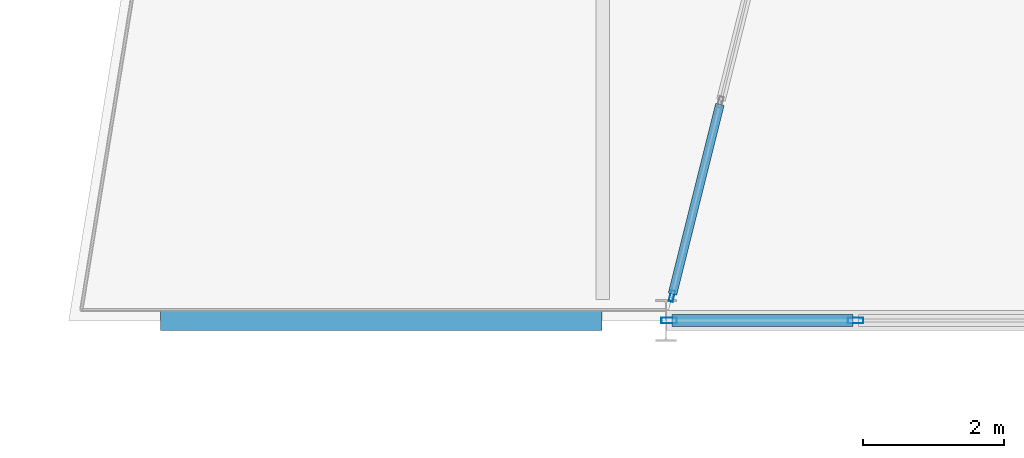
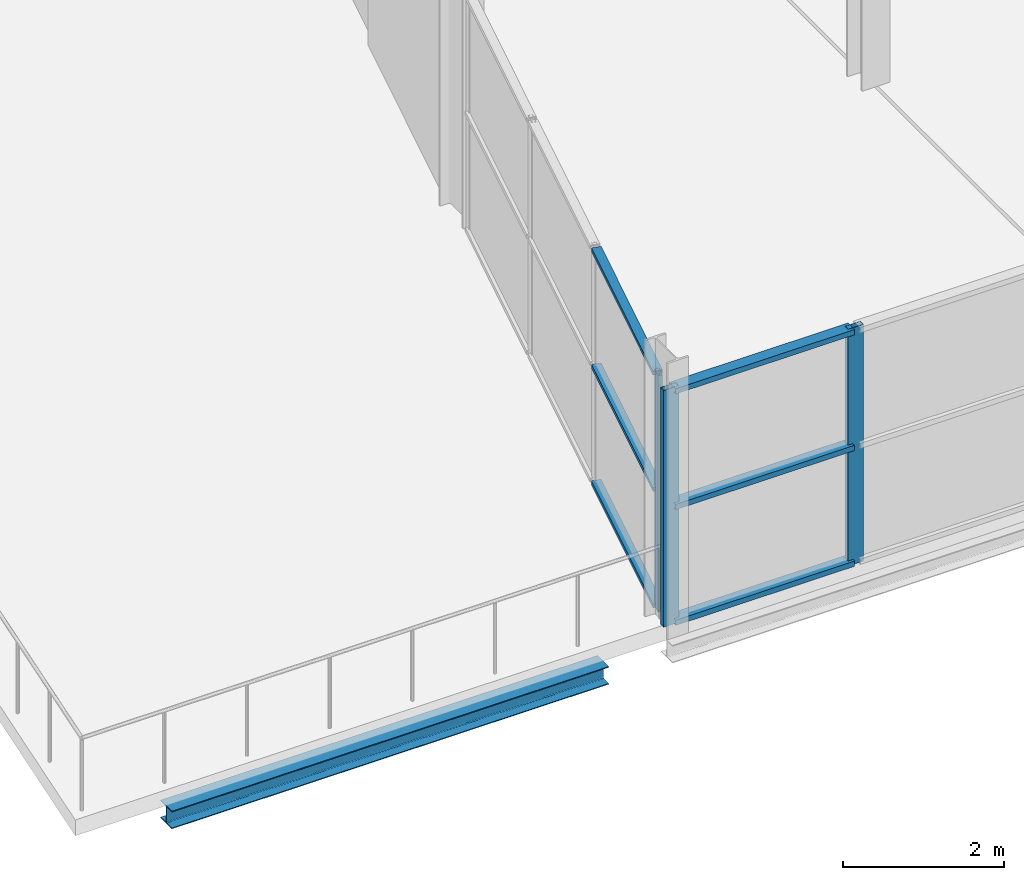
# One storey, part 8 of 44: 9 members, 1 beam, 2 elements without a shape of their own.
"""IFC4 building model written with IfcOpenShell, lengths in metres."""

import ifcopenshell
import ifcopenshell.guid

model = None  # the IFC model being written
_history = None  # IfcOwnerHistory: only IFC2X3 demands one
_inside = {}  # id of a spatial element -> (the spatial element, [elements in it])
_under = {}  # id of a project, library or spatial element -> (it, [spatial elements below it])
_declared = {}  # id of a project -> (the project, [libraries it declares])
_typed = {}  # id of a type object -> (the type object, [elements of that type])
_made_of = {}  # id of a material, layer set ... -> (it, [elements and type objects made of it])


def new_model(schema):
    """Start an empty IFC model of exactly this schema.

    Asked for "IFC4X3", IfcOpenShell would pick the latest addendum, in which some entities
    have other attributes; the version numbers below select the first issue.
    IFC2X3 requires an IfcOwnerHistory on every rooted entity: one is made here for all.
    """
    global model, _history
    if schema == "IFC4X3":
        model = ifcopenshell.file(schema_version=(4, 3, 0, 0))
    else:
        model = ifcopenshell.file(schema=schema)
    _inside.clear()
    _under.clear()
    _declared.clear()
    _typed.clear()
    _made_of.clear()
    _history = None
    if model.schema == "IFC2X3":
        org = make("IfcOrganization", Name="unknown")
        user = make(
            "IfcPersonAndOrganization",
            ThePerson=make("IfcPerson", FamilyName="unknown"),
            TheOrganization=org,
        )
        app = make(
            "IfcApplication",
            ApplicationDeveloper=org,
            Version="unknown",
            ApplicationFullName="unknown",
            ApplicationIdentifier="unknown",
        )
        _history = make(
            "IfcOwnerHistory",
            OwningUser=user,
            OwningApplication=app,
            ChangeAction="ADDED",
            CreationDate=0,
        )
    return model


def make(cls, **values):
    """One entity of the class cls with the attributes given. An attribute that is None is left unset."""
    return model.create_entity(
        cls, **{name: value for name, value in values.items() if value is not None}
    )


def rooted(cls, **values):
    """An entity with a GlobalId (a new one), such as an element, a storey or a relation."""
    return make(cls, GlobalId=ifcopenshell.guid.new(), OwnerHistory=_history, **values)


def si_unit(unit_type, name, prefix=None):
    """IfcSIUnit, for example si_unit("LENGTHUNIT", "METRE", prefix="MILLI")."""
    return make("IfcSIUnit", UnitType=unit_type, Prefix=prefix, Name=name)


def assignment(units):
    """IfcUnitAssignment: the units of a project."""
    return None if units is None else make("IfcUnitAssignment", Units=units)


def point(xyz):
    """IfcCartesianPoint."""
    return None if xyz is None else make("IfcCartesianPoint", Coordinates=xyz)


def direction(xyz):
    """IfcDirection."""
    return None if xyz is None else make("IfcDirection", DirectionRatios=xyz)


def frame(location, z_axis=None, x_axis=None):
    """IfcAxis2Placement3D, a coordinate frame: its origin and axes. An axis left out is left unset."""
    return make(
        "IfcAxis2Placement3D",
        Location=point(location),
        Axis=direction(z_axis),
        RefDirection=direction(x_axis),
    )


def frame_2d(location, x_axis=None):
    """IfcAxis2Placement2D, a coordinate frame in the plane: its origin and x axis."""
    return make(
        "IfcAxis2Placement2D", Location=point(location), RefDirection=direction(x_axis)
    )


def origin():
    """The frame at (0, 0, 0) with its axes left unset."""
    return frame((0.0, 0.0, 0.0))


def origin_2d():
    """The frame at (0, 0) in the plane with its x axis left unset."""
    return frame_2d((0.0, 0.0))


def place(relative_to, where):
    """IfcLocalPlacement: puts the frame where relative to a parent placement (None: the world)."""
    return make(
        "IfcLocalPlacement", PlacementRelTo=relative_to, RelativePlacement=where
    )


def context(
    kind, dimensions, precision=None, world=None, true_north=None, identifier=None
):
    """IfcGeometricRepresentationContext, for example the 3D "Model" context."""
    return make(
        "IfcGeometricRepresentationContext",
        ContextIdentifier=identifier,
        ContextType=kind,
        CoordinateSpaceDimension=dimensions,
        Precision=precision,
        WorldCoordinateSystem=world,
        TrueNorth=true_north,
    )


def subcontext(parent, identifier, kind, view, scale=None):
    """IfcGeometricRepresentationSubContext, for example "Body" below "Model"."""
    return make(
        "IfcGeometricRepresentationSubContext",
        ContextIdentifier=identifier,
        ContextType=kind,
        ParentContext=parent,
        TargetScale=scale,
        TargetView=view,
    )


def project(units=None, contexts=None):
    """IfcProject with its units and contexts."""
    return rooted(
        "IfcProject",
        Name="project",
        RepresentationContexts=contexts,
        UnitsInContext=assignment(units),
    )


def spatial(cls, under=None, at=None, **own):
    """A site, building, storey or space (cls), placed at a placement, below another one or the project."""
    s = rooted(cls, ObjectPlacement=at, **own)
    if under is not None:
        _under.setdefault(under.id(), (under, []))[1].append(s)
    return s


def profile(cls, at=None, kind="AREA", **sizes):
    """A parametric profile (cls). Its sizes go by their IFC names, for example OverallWidth=200.0."""
    return make(cls, ProfileType=kind, Position=at, **sizes)


def hollow_rectangle(**sizes):
    """IfcRectangleHollowProfileDef."""
    return profile("IfcRectangleHollowProfileDef", **sizes)


def i_section(**sizes):
    """IfcIShapeProfileDef."""
    return profile("IfcIShapeProfileDef", **sizes)


def extrude(swept, where, along, depth):
    """IfcExtrudedAreaSolid: the profile swept, set in the frame where, extruded along a direction by depth."""
    return make(
        "IfcExtrudedAreaSolid",
        SweptArea=swept,
        Position=where,
        ExtrudedDirection=direction(along),
        Depth=depth,
    )


def shape(context_of_items, identifier, shape_type, items):
    """IfcShapeRepresentation: the items that make up one representation, for example the "Body"."""
    return make(
        "IfcShapeRepresentation",
        ContextOfItems=context_of_items,
        RepresentationIdentifier=identifier,
        RepresentationType=shape_type,
        Items=items,
    )


def material(Name=None, Category=None):
    """IfcMaterial."""
    return make("IfcMaterial", Name=Name, Category=Category)


def layer(
    of_material, thickness, ventilated=None, Name=None, Category=None, Priority=None
):
    """IfcMaterialLayer: one layer of a wall or slab, of a material (None: an air gap)."""
    return make(
        "IfcMaterialLayer",
        Material=of_material,
        LayerThickness=thickness,
        IsVentilated=ventilated,
        Name=Name,
        Category=Category,
        Priority=Priority,
    )


def layer_set(layers, Name=None):
    """IfcMaterialLayerSet."""
    return make("IfcMaterialLayerSet", MaterialLayers=layers, LayerSetName=Name)


def material_profile(
    of_material, cross_section, Name=None, Category=None, Priority=None
):
    """IfcMaterialProfile: a cross section and its material."""
    return make(
        "IfcMaterialProfile",
        Name=Name,
        Material=of_material,
        Profile=cross_section,
        Priority=Priority,
        Category=Category,
    )


def profile_set(profiles, Name=None, composite=None):
    """IfcMaterialProfileSet."""
    return make(
        "IfcMaterialProfileSet",
        Name=Name,
        MaterialProfiles=profiles,
        CompositeProfile=composite,
    )


def made_of(thing, what):
    """Note that an element or type object is made of a material, layer set ...; save() writes the relation."""
    if what is not None:
        _made_of.setdefault(what.id(), (what, []))[1].append(thing)
    return thing


def type_object(cls, material=None, **own):
    """A type object (cls), such as IfcWallType, which elements share."""
    return made_of(rooted(cls, **own), material)


def element(
    cls,
    number,
    at=None,
    inside=None,
    cuts=None,
    type_object=None,
    material=None,
    context=None,
    identifier="Body",
    shape_type=None,
    held_by="IfcProductDefinitionShape",
    body=None,
    shapes=None,
    **own,
):
    """One element of the class cls, such as IfcWall. Its Tag is "e" and its number.

    at: its placement. inside: the storey or other place that contains it. cuts: it is an
    opening in that element (IfcRelVoidsElement). A single representation is given by context,
    identifier, shape_type and body (its items); several are given by shapes. held_by: the class
    of the entity that holds the representations. save() writes the other relations.
    """
    e = rooted(cls, Tag="e%d" % number, ObjectPlacement=at, **own)
    if body is not None:
        shapes = [shape(context, identifier, shape_type, body)]
    if shapes is not None:
        e.Representation = make(held_by, Representations=shapes)
    if inside is not None:
        _inside.setdefault(inside.id(), (inside, []))[1].append(e)
    if cuts is not None:
        rooted(
            "IfcRelVoidsElement", RelatingBuildingElement=cuts, RelatedOpeningElement=e
        )
    if type_object is not None:
        _typed.setdefault(type_object.id(), (type_object, []))[1].append(e)
    return made_of(e, material)


def aggregate(whole, parts):
    """IfcRelAggregates: a whole, such as a stair, and the parts it consists of."""
    return rooted("IfcRelAggregates", RelatingObject=whole, RelatedObjects=parts)


def save(model, path):
    """Write the relations noted so far, then the file.

    IfcRelAggregates (storeys below a building ...), IfcRelContainedInSpatialStructure (elements
    in a storey), IfcRelDefinesByType, IfcRelAssociatesMaterial and IfcRelDeclares: one each for
    every whole, place, type object, material and project.
    """
    for whole, parts in _under.values():
        aggregate(whole, parts)
    for where, things in _inside.values():
        rooted(
            "IfcRelContainedInSpatialStructure",
            RelatedElements=things,
            RelatingStructure=where,
        )
    for kind, things in _typed.values():
        rooted("IfcRelDefinesByType", RelatedObjects=things, RelatingType=kind)
    for what, things in _made_of.values():
        rooted("IfcRelAssociatesMaterial", RelatedObjects=things, RelatingMaterial=what)
    for by, libraries in _declared.values():
        rooted("IfcRelDeclares", RelatingContext=by, RelatedDefinitions=libraries)
    model.write(path)


model = new_model("IFC4")

# Units and contexts
model_context = context("Model", 3, precision=1e-05, world=origin(), true_north=direction((0.0, 1.0)))
body_context = subcontext(model_context, "Body", "Model", "MODEL_VIEW")
ifc_project = project(units=[si_unit("LENGTHUNIT", "METRE"), si_unit("AREAUNIT", "SQUARE_METRE"), si_unit("VOLUMEUNIT", "CUBIC_METRE"), si_unit("PLANEANGLEUNIT", "RADIAN"), si_unit("MASSUNIT", "GRAM", prefix="KILO")], contexts=[model_context])

# Site, building, storey
site_placement = place(None, origin())
site = spatial("IfcSite", under=ifc_project, at=site_placement, CompositionType="ELEMENT")
building_placement = place(site_placement, origin())
building = spatial("IfcBuilding", under=site, at=building_placement, Name="Deido Ridge Mobility Hub", CompositionType="ELEMENT")
storey_placement = place(building_placement, frame((0.0, 0.0, 25.199951171875)))
storey = spatial("IfcBuildingStorey", under=building, at=storey_placement, Name="L06", CompositionType="ELEMENT", Elevation=25.199951171875)

# Curtain wall, member
ifc_material_1 = material(Name="Anodised aluminium EN AW-6063 T6", Category="aluminium")
ifc_layer_1 = layer(ifc_material_1, 0.2099609375, Name="Anodised aluminium EN AW-6063 T6")
ifc_layer_set_1 = layer_set([ifc_layer_1], Name="Anodised aluminium EN AW-6063 T6")
curtain_wall_type_1 = type_object("IfcCurtainWallType", Name="CW-UF-4", PredefinedType="USERDEFINED", material=ifc_layer_set_1)
curtain_wall_1_placement = place(storey_placement, origin())
curtain_wall_1 = element("IfcCurtainWall", 1, at=curtain_wall_1_placement, inside=storey, type_object=curtain_wall_type_1, Name="Unitised curtain wall CW4", ObjectType="UNITISED FACADE", PredefinedType="USERDEFINED")
ifc_material_profile_1 = material_profile(ifc_material_1, hollow_rectangle(XDim=0.06005859375, YDim=0.159912109375, WallThickness=0.00390625, at=origin_2d()), Name="RHS 60x160x4")
ifc_profile_set_1 = profile_set([ifc_material_profile_1], Name="Anodised aluminium EN AW-6063 T6")
member_type_1 = type_object("IfcMemberType", Name="MEM-MUL-60X160", PredefinedType="MULLION", material=ifc_profile_set_1)
member_1_placement = place(storey_placement, frame((135.986572265625, 0.3466796875, 0.0), z_axis=(0.0, 0.0, 1.0), x_axis=(-0.970142500145, 0.242535625038, 0.0)))
member_1 = element("IfcMember", 2, at=member_1_placement, type_object=member_type_1, Name="CW4 mullion 1", PredefinedType="MULLION", context=body_context, shape_type="SweptSolid", body=[
    extrude(hollow_rectangle(XDim=0.06005859375, YDim=0.159912109375, WallThickness=0.00390625, at=origin_2d()), origin(), (0.0, 0.0, 1.0), 3.60009765625),
])

# Curtain wall, members
ifc_layer_2 = layer(ifc_material_1, 0.2548828125, Name="Anodised aluminium EN AW-6063 T6")
ifc_layer_set_2 = layer_set([ifc_layer_2], Name="Anodised aluminium EN AW-6063 T6")
curtain_wall_type_2 = type_object("IfcCurtainWallType", Name="CW-UF-7", PredefinedType="USERDEFINED", material=ifc_layer_set_2)
curtain_wall_2_placement = place(storey_placement, origin())
curtain_wall_2 = element("IfcCurtainWall", 3, at=curtain_wall_2_placement, inside=storey, type_object=curtain_wall_type_2, Name="Unitised curtain wall CW7", ObjectType="UNITISED FACADE", PredefinedType="USERDEFINED")
ifc_material_profile_2 = material_profile(ifc_material_1, hollow_rectangle(XDim=0.080078125, YDim=0.219970703125, WallThickness=0.00390625, at=origin_2d()), Name="RHS 80x220x4")
ifc_profile_set_2 = profile_set([ifc_material_profile_2], Name="Anodised aluminium EN AW-6063 T6")
member_type_2 = type_object("IfcMemberType", Name="MEM-MUL-80X220", PredefinedType="MULLION", material=ifc_profile_set_2)
member_2_placement = place(storey_placement, frame((135.94775390625, 0.0, 0.0), z_axis=(0.0, 0.0, 1.0), x_axis=(0.0, 1.0, 0.0)))
member_2 = element("IfcMember", 4, at=member_2_placement, type_object=member_type_2, Name="CW7 mullion 1", PredefinedType="MULLION", context=body_context, shape_type="SweptSolid", body=[
    extrude(hollow_rectangle(XDim=0.080078125, YDim=0.219970703125, WallThickness=0.00390625, at=origin_2d()), origin(), (0.0, 0.0, 1.0), 3.60009765625),
])
member_3_placement = place(storey_placement, frame((138.602294921875, 0.0, 0.0), z_axis=(0.0, 0.0, 1.0), x_axis=(0.0, 1.0, 0.0)))
member_3 = element("IfcMember", 5, at=member_3_placement, type_object=member_type_2, Name="CW7 mullion 2", PredefinedType="MULLION", context=body_context, shape_type="SweptSolid", body=[
    extrude(hollow_rectangle(XDim=0.080078125, YDim=0.219970703125, WallThickness=0.00390625, at=origin_2d()), origin(), (0.0, 0.0, 1.0), 3.60009765625),
])

# Member
ifc_material_profile_3 = material_profile(ifc_material_1, hollow_rectangle(XDim=0.125, YDim=0.06005859375, WallThickness=0.00390625, at=origin_2d()), Name="RHS 125x60x4")
ifc_profile_set_3 = profile_set([ifc_material_profile_3], Name="Anodised aluminium EN AW-6063 T6")
member_type_3 = type_object("IfcMemberType", Name="MEM-TRN-125X60", PredefinedType="USERDEFINED", material=ifc_profile_set_3)
member_4_placement = place(storey_placement, frame((135.993896484375, 0.375732421875, 0.030029296875), z_axis=(0.242556258409, 0.970137341569, 0.0), x_axis=(-0.970137341569, 0.242556258409, 0.0)))
member_4 = element("IfcMember", 6, at=member_4_placement, type_object=member_type_3, Name="CW4 transom 1.1", ObjectType="TRANSOM", PredefinedType="USERDEFINED", context=body_context, shape_type="SweptSolid", body=[
    extrude(hollow_rectangle(XDim=0.125, YDim=0.06005859375, WallThickness=0.00390625, at=origin_2d()), origin(), (0.0, 0.0, 1.0), 2.7841796875),
])

member_5_placement = place(storey_placement, frame((135.993896484375, 0.375732421875, 1.800048828125), z_axis=(0.242556258409, 0.970137341569, 0.0), x_axis=(-0.970137341569, 0.242556258409, 0.0)))
member_5 = element("IfcMember", 7, at=member_5_placement, type_object=member_type_3, Name="CW4 transom 1.2", ObjectType="TRANSOM", PredefinedType="USERDEFINED", context=body_context, shape_type="SweptSolid", body=[
    extrude(hollow_rectangle(XDim=0.125, YDim=0.06005859375, WallThickness=0.00390625, at=origin_2d()), origin(), (0.0, 0.0, 1.0), 2.7841796875),
])

member_6_placement = place(storey_placement, frame((135.993896484375, 0.375732421875, 3.570068359375), z_axis=(0.242556258409, 0.970137341569, 0.0), x_axis=(-0.970137341569, 0.242556258409, 0.0)))
member_6 = element("IfcMember", 8, at=member_6_placement, type_object=member_type_3, Name="CW4 transom 1.3", ObjectType="TRANSOM", PredefinedType="USERDEFINED", context=body_context, shape_type="SweptSolid", body=[
    extrude(hollow_rectangle(XDim=0.125, YDim=0.06005859375, WallThickness=0.00390625, at=origin_2d()), origin(), (0.0, 0.0, 1.0), 2.7841796875),
])

aggregate(curtain_wall_1, [member_1, member_4, member_5, member_6])

ifc_material_profile_4 = material_profile(ifc_material_1, hollow_rectangle(XDim=0.1650390625, YDim=0.080078125, WallThickness=0.00390625, at=origin_2d()), Name="RHS 165x80x4")
ifc_profile_set_4 = profile_set([ifc_material_profile_4], Name="Anodised aluminium EN AW-6063 T6")
member_type_4 = type_object("IfcMemberType", Name="MEM-TRN-165X80", PredefinedType="USERDEFINED", material=ifc_profile_set_4)
member_7_placement = place(storey_placement, frame((135.98779296875, 0.0, 0.0400390625), z_axis=(1.0, 0.0, 0.0), x_axis=(0.0, 1.0, 0.0)))
member_7 = element("IfcMember", 9, at=member_7_placement, type_object=member_type_4, Name="CW7 transom 1.1", ObjectType="TRANSOM", PredefinedType="USERDEFINED", context=body_context, shape_type="SweptSolid", body=[
    extrude(hollow_rectangle(XDim=0.1650390625, YDim=0.080078125, WallThickness=0.00390625, at=origin_2d()), origin(), (0.0, 0.0, 1.0), 2.574462890625),
])

member_8_placement = place(storey_placement, frame((135.98779296875, 0.0, 1.800048828125), z_axis=(1.0, 0.0, 0.0), x_axis=(0.0, 1.0, 0.0)))
member_8 = element("IfcMember", 10, at=member_8_placement, type_object=member_type_4, Name="CW7 transom 1.2", ObjectType="TRANSOM", PredefinedType="USERDEFINED", context=body_context, shape_type="SweptSolid", body=[
    extrude(hollow_rectangle(XDim=0.1650390625, YDim=0.080078125, WallThickness=0.00390625, at=origin_2d()), origin(), (0.0, 0.0, 1.0), 2.574462890625),
])

member_9_placement = place(storey_placement, frame((135.98779296875, 0.0, 3.56005859375), z_axis=(1.0, 0.0, 0.0), x_axis=(0.0, 1.0, 0.0)))
member_9 = element("IfcMember", 11, at=member_9_placement, type_object=member_type_4, Name="CW7 transom 1.3", ObjectType="TRANSOM", PredefinedType="USERDEFINED", context=body_context, shape_type="SweptSolid", body=[
    extrude(hollow_rectangle(XDim=0.1650390625, YDim=0.080078125, WallThickness=0.00390625, at=origin_2d()), origin(), (0.0, 0.0, 1.0), 2.574462890625),
])

aggregate(curtain_wall_2, [member_2, member_3, member_7, member_8, member_9])

# Beam
ifc_material_2 = material(Name="Steel S355J2 EN 10025-2", Category="steel")
ifc_material_profile_5 = material_profile(ifc_material_2, i_section(OverallWidth=0.280029296875, OverallDepth=0.27001953125, WebThickness=0.008056640625, FlangeThickness=0.012939453125, FilletRadius=0.02392578125, at=origin_2d()), Name="HEA 280")
ifc_profile_set_5 = profile_set([ifc_material_profile_5], Name="Steel S355J2 EN 10025-2")
beam_type = type_object("IfcBeamType", Name="SPD-HEA280", PredefinedType="SPANDREL", material=ifc_profile_set_5)
beam_placement = place(storey_placement, frame((128.707763671875, 0.0, -0.375), z_axis=(1.0, 0.0, 0.0), x_axis=(0.0, 1.0, 0.0)))
element("IfcBeam", 12, at=beam_placement, inside=storey, type_object=beam_type, Name="Floor beam SP2", PredefinedType="SPANDREL", context=body_context, shape_type="SweptSolid", body=[
    extrude(i_section(OverallWidth=0.280029296875, OverallDepth=0.27001953125, WebThickness=0.008056640625, FlangeThickness=0.012939453125, FilletRadius=0.02392578125, at=origin_2d()), origin(), (0.0, 0.0, 1.0), 6.284423828125),
])

save(model, "model.ifc")
